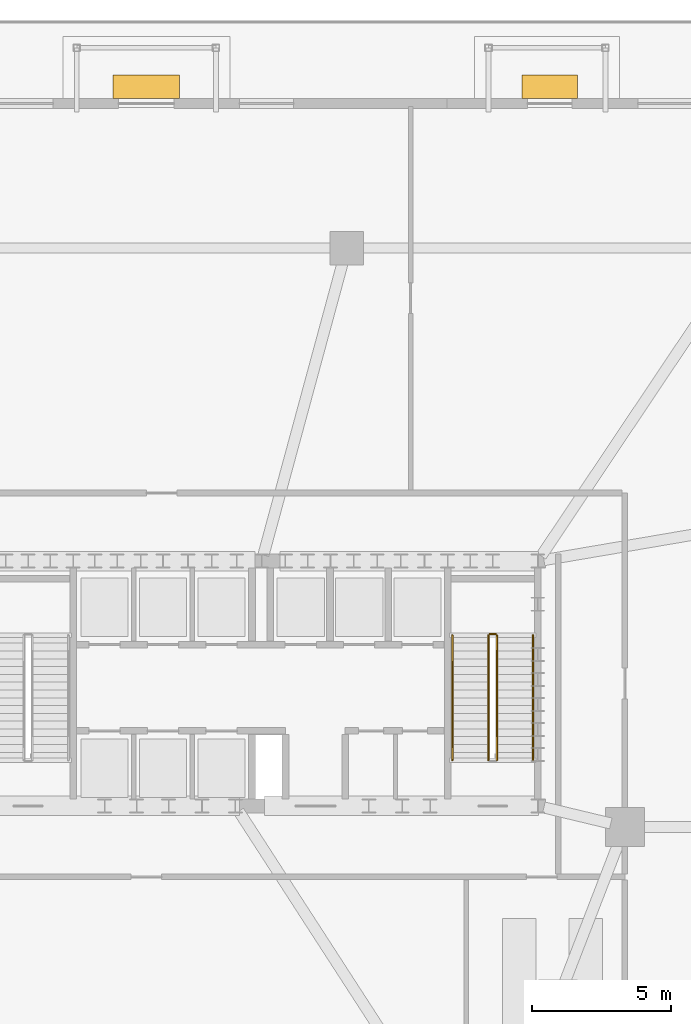
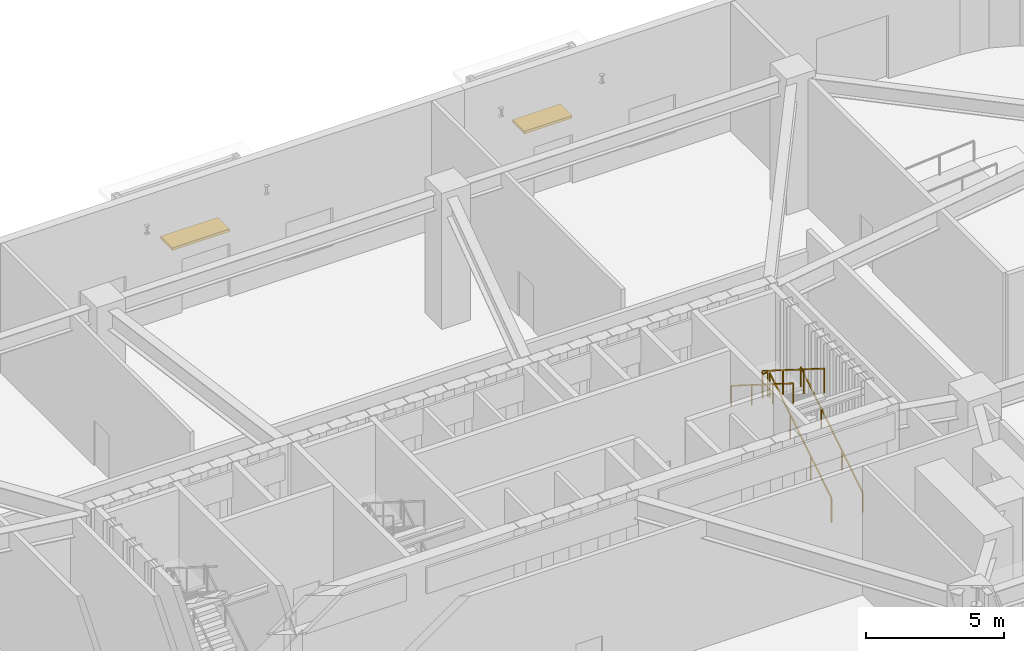
# One storey, part 19 of 21: 5 railings, 2 shading devices.
"""IFC4 building model written with IfcOpenShell, lengths in metres."""

from ifc_helpers import new_model, si_unit, direction, frame, origin, origin_2d, place, context, subcontext, project, spatial, rectangle, extrude, material, type_object, element, save


model = new_model("IFC4")

# Units and contexts
model_context = context("Model", 3, precision=1e-05, world=origin(), true_north=direction((0.0, 1.0)))
body_context = subcontext(model_context, "Body", "Model", "MODEL_VIEW")
ifc_project = project(units=[si_unit("LENGTHUNIT", "METRE"), si_unit("AREAUNIT", "SQUARE_METRE"), si_unit("VOLUMEUNIT", "CUBIC_METRE"), si_unit("PLANEANGLEUNIT", "RADIAN"), si_unit("MASSUNIT", "GRAM", prefix="KILO")], contexts=[model_context])

# Site, building, storey
site_placement = place(None, origin())
site = spatial("IfcSite", under=ifc_project, at=site_placement, CompositionType="ELEMENT")
building_placement = place(site_placement, origin())
building = spatial("IfcBuilding", under=site, at=building_placement, Name="Haldorwick Loom Tower", CompositionType="ELEMENT")
storey_placement = place(building_placement, origin())
storey = spatial("IfcBuildingStorey", under=building, at=storey_placement, Name="L00", CompositionType="ELEMENT", Elevation=0.0)

# Railings
ifc_material_1 = material(Name="Steel CSA G40.21 350W", Category="steel")
railing_type_1 = type_object("IfcRailingType", Name="ARC-RLG-GUARD112", PredefinedType="GUARDRAIL", material=ifc_material_1)
railing_1_placement = place(storey_placement, frame((48.60009765625, 28.39990234375, 0.176513671875)))
element("IfcRailing", 1, at=railing_1_placement, inside=storey, type_object=railing_type_1, Name="L00 ST-02 stair guard 1", PredefinedType="GUARDRAIL", context=body_context, shape_type="SweptSolid", body=[
    extrude(rectangle(XDim=0.048095703125, YDim=0.048095703125, at=origin_2d()), frame((0.0, 0.0, 1.076171875), z_axis=(0.0, 0.845997938375, 0.533186166611), x_axis=(-1.0, 0.0, 0.0)), (0.0, 0.0, 1.0), 5.29541015625),
    extrude(rectangle(XDim=0.0419921875, YDim=0.0419921875, at=origin_2d()), origin(), (0.0, 0.0, 1.0), 1.052001953125),
    extrude(rectangle(XDim=0.0419921875, YDim=0.0419921875, at=origin_2d()), frame((0.0, 1.493408203125, 0.941162109375)), (0.0, 0.0, 1.0), 1.052001953125),
    extrude(rectangle(XDim=0.0419921875, YDim=0.0419921875, at=origin_2d()), frame((0.0, 2.986572265625, 1.88232421875)), (0.0, 0.0, 1.0), 1.052001953125),
    extrude(rectangle(XDim=0.0419921875, YDim=0.0419921875, at=origin_2d()), frame((0.0, 4.47998046875, 2.823486328125)), (0.0, 0.0, 1.0), 1.052001953125),
])
railing_2_placement = place(storey_placement, frame((48.550048828125, 32.929931640625, 3.0)))
element("IfcRailing", 2, at=railing_2_placement, inside=storey, type_object=railing_type_1, Name="L00 ST-02 stair guard 2", PredefinedType="GUARDRAIL", context=body_context, shape_type="SweptSolid", body=[
    extrude(rectangle(XDim=0.048095703125, YDim=0.048095703125, at=origin_2d()), frame((0.0, 0.0, 1.076171875), z_axis=(-1.0, 0.0, 0.0), x_axis=(0.0, -1.0, 0.0)), (0.0, 0.0, 1.0), 0.199951171875),
    extrude(rectangle(XDim=0.0419921875, YDim=0.0419921875, at=origin_2d()), origin(), (0.0, 0.0, 1.0), 1.052001953125),
    extrude(rectangle(XDim=0.0419921875, YDim=0.0419921875, at=origin_2d()), frame((-0.199951171875, 0.0, 0.0)), (0.0, 0.0, 1.0), 1.052001953125),
])
railing_3_placement = place(storey_placement, frame((48.300048828125, 32.8798828125, 3.176513671875)))
element("IfcRailing", 3, at=railing_3_placement, inside=storey, type_object=railing_type_1, Name="L00 ST-02 stair guard 3", PredefinedType="GUARDRAIL", context=body_context, shape_type="SweptSolid", body=[
    extrude(rectangle(XDim=0.048095703125, YDim=0.048095703125, at=origin_2d()), frame((0.0, 0.0, 1.076171875), z_axis=(0.0, -0.845997938375, 0.533186166611), x_axis=(1.0, 0.0, 0.0)), (0.0, 0.0, 1.0), 5.29541015625),
    extrude(rectangle(XDim=0.0419921875, YDim=0.0419921875, at=origin_2d()), origin(), (0.0, 0.0, 1.0), 1.052001953125),
    extrude(rectangle(XDim=0.0419921875, YDim=0.0419921875, at=origin_2d()), frame((0.0, -1.493408203125, 0.941162109375)), (0.0, 0.0, 1.0), 1.052001953125),
    extrude(rectangle(XDim=0.0419921875, YDim=0.0419921875, at=origin_2d()), frame((0.0, -2.986572265625, 1.88232421875)), (0.0, 0.0, 1.0), 1.052001953125),
    extrude(rectangle(XDim=0.0419921875, YDim=0.0419921875, at=origin_2d()), frame((0.0, -4.47998046875, 2.823486328125)), (0.0, 0.0, 1.0), 1.052001953125),
])
railing_type_2 = type_object("IfcRailingType", Name="ARC-RLG-HAND092", PredefinedType="HANDRAIL", material=ifc_material_1)
railing_4_placement = place(storey_placement, frame((49.89990234375, 28.39990234375, 0.176513671875)))
element("IfcRailing", 4, at=railing_4_placement, inside=storey, type_object=railing_type_2, Name="L00 ST-02 stair handrail 1", PredefinedType="HANDRAIL", context=body_context, shape_type="SweptSolid", body=[
    extrude(rectangle(XDim=0.048095703125, YDim=0.048095703125, at=origin_2d()), frame((0.0, 0.0, 0.8759765625), z_axis=(0.0, 0.845997938375, 0.533186166611), x_axis=(-1.0, 0.0, 0.0)), (0.0, 0.0, 1.0), 5.29541015625),
    extrude(rectangle(XDim=0.0419921875, YDim=0.0419921875, at=origin_2d()), origin(), (0.0, 0.0, 1.0), 0.851806640625),
    extrude(rectangle(XDim=0.0419921875, YDim=0.0419921875, at=origin_2d()), frame((0.0, 1.493408203125, 0.941162109375)), (0.0, 0.0, 1.0), 0.851806640625),
    extrude(rectangle(XDim=0.0419921875, YDim=0.0419921875, at=origin_2d()), frame((0.0, 2.986572265625, 1.88232421875)), (0.0, 0.0, 1.0), 0.851806640625),
    extrude(rectangle(XDim=0.0419921875, YDim=0.0419921875, at=origin_2d()), frame((0.0, 4.47998046875, 2.823486328125)), (0.0, 0.0, 1.0), 0.851806640625),
])
railing_5_placement = place(storey_placement, frame((47.0, 32.8798828125, 3.176513671875)))
element("IfcRailing", 5, at=railing_5_placement, inside=storey, type_object=railing_type_2, Name="L00 ST-02 stair handrail 2", PredefinedType="HANDRAIL", context=body_context, shape_type="SweptSolid", body=[
    extrude(rectangle(XDim=0.048095703125, YDim=0.048095703125, at=origin_2d()), frame((0.0, 0.0, 0.8759765625), z_axis=(0.0, -0.845997938375, 0.533186166611), x_axis=(1.0, 0.0, 0.0)), (0.0, 0.0, 1.0), 5.29541015625),
    extrude(rectangle(XDim=0.0419921875, YDim=0.0419921875, at=origin_2d()), origin(), (0.0, 0.0, 1.0), 0.851806640625),
    extrude(rectangle(XDim=0.0419921875, YDim=0.0419921875, at=origin_2d()), frame((0.0, -1.493408203125, 0.941162109375)), (0.0, 0.0, 1.0), 0.851806640625),
    extrude(rectangle(XDim=0.0419921875, YDim=0.0419921875, at=origin_2d()), frame((0.0, -2.986572265625, 1.88232421875)), (0.0, 0.0, 1.0), 0.851806640625),
    extrude(rectangle(XDim=0.0419921875, YDim=0.0419921875, at=origin_2d()), frame((0.0, -4.47998046875, 2.823486328125)), (0.0, 0.0, 1.0), 0.851806640625),
])

# Shading devices
ifc_material_2 = material(Name="Extruded Anodized Aluminium Weather Louvre", Category="aluminium")
shading_device_type_1 = type_object("IfcShadingDeviceType", Name="ARC-SHD-AWNING", PredefinedType="AWNING", material=ifc_material_2)
shading_device_1_placement = place(storey_placement, frame((36.0, 52.60009765625, 2.58984375), z_axis=(0.0, 0.0, 1.0), x_axis=(-1.0, 0.0, 0.0)))
element("IfcShadingDevice", 6, at=shading_device_1_placement, inside=storey, type_object=shading_device_type_1, Name="L00 Entrance Sunshade Canopy EX-06", PredefinedType="AWNING", context=body_context, shape_type="SweptSolid", body=[
    extrude(rectangle(XDim=2.39990234375, YDim=0.85009765625, at=origin_2d()), origin(), (0.0, 0.0, 1.0), 0.1201171875),
])
shading_device_type_2 = type_object("IfcShadingDeviceType", Name="ARC-SHD-AWNING2", PredefinedType="AWNING", material=ifc_material_2)
shading_device_2_placement = place(storey_placement, frame((50.5, 52.60009765625, 2.58984375), z_axis=(0.0, 0.0, 1.0), x_axis=(-1.0, 0.0, 0.0)))
element("IfcShadingDevice", 7, at=shading_device_2_placement, inside=storey, type_object=shading_device_type_2, Name="L00 Entrance Sunshade Canopy EX-08", PredefinedType="AWNING", context=body_context, shape_type="SweptSolid", body=[
    extrude(rectangle(XDim=2.0, YDim=0.85009765625, at=origin_2d()), origin(), (0.0, 0.0, 1.0), 0.1201171875),
])

save(model, "model.ifc")
